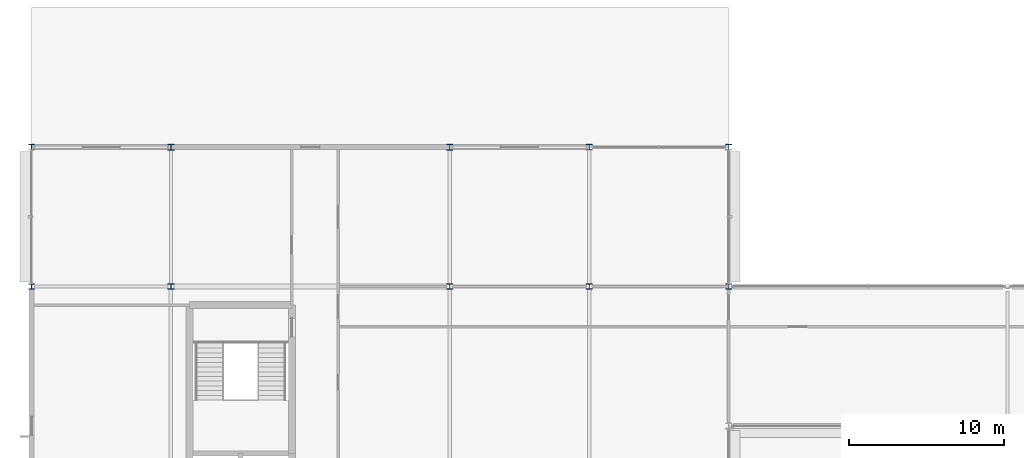
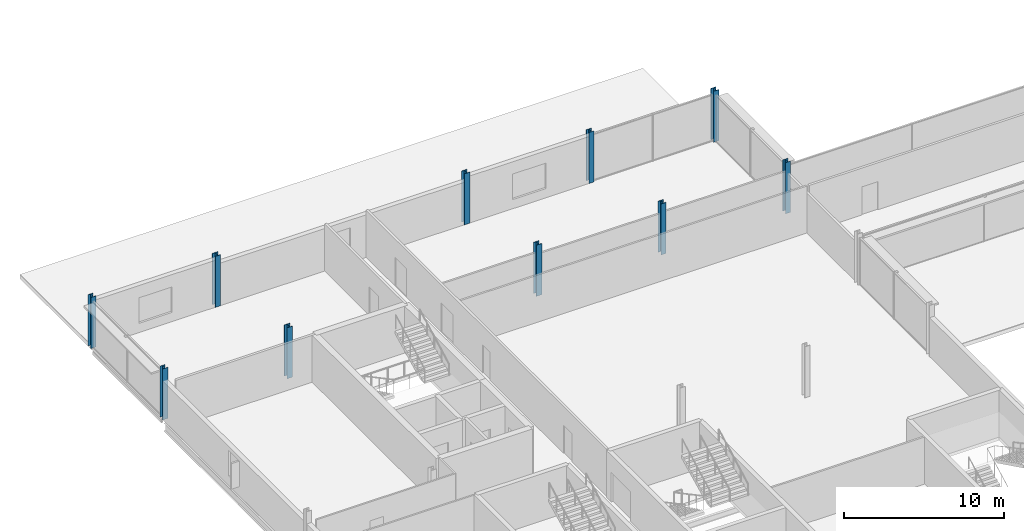
# One storey, part 7 of 105: 10 columns.
"""IFC4 building model written with IfcOpenShell, lengths in metres."""

from ifc_helpers import new_model, si_unit, direction, frame, origin, origin_2d, place, context, subcontext, project, spatial, i_section, extrude, material, material_profile, profile_set, type_object, element, save


model = new_model("IFC4")

# Units and contexts
model_context = context("Model", 3, precision=1e-05, world=origin(), true_north=direction((0.0, 1.0)))
body_context = subcontext(model_context, "Body", "Model", "MODEL_VIEW")
ifc_project = project(units=[si_unit("LENGTHUNIT", "METRE"), si_unit("AREAUNIT", "SQUARE_METRE"), si_unit("VOLUMEUNIT", "CUBIC_METRE"), si_unit("PLANEANGLEUNIT", "RADIAN"), si_unit("MASSUNIT", "GRAM", prefix="KILO")], contexts=[model_context])

# Site, building, storey
site_placement = place(None, origin())
site = spatial("IfcSite", under=ifc_project, at=site_placement, CompositionType="ELEMENT")
building_placement = place(site_placement, origin())
building = spatial("IfcBuilding", under=site, at=building_placement, Name="Kisiwana Market Hall", CompositionType="ELEMENT")
storey_placement = place(building_placement, frame((0.0, 0.0, 21.60009765625)))
storey = spatial("IfcBuildingStorey", under=building, at=storey_placement, Name="L04", CompositionType="ELEMENT", Elevation=21.60009765625)

# Columns
ifc_material_1 = material(Name="Steel S355", Category="steel")
ifc_material_profile_1 = material_profile(ifc_material_1, i_section(OverallWidth=0.37255859375, OverallDepth=0.3681640625, WebThickness=0.014404296875, FlangeThickness=0.023681640625, FilletRadius=0.01513671875, at=origin_2d()), Name="UC 356x368x177")
ifc_profile_set_1 = profile_set([ifc_material_profile_1], Name="Steel S355")
column_type_1 = type_object("IfcColumnType", Name="COL-STL-UC177", PredefinedType="COLUMN", material=ifc_profile_set_1)
for number, where, z_axis, x_axis, name in (
    (1, (0.0, 102.0, 0.0), (0.0, 0.0, 1.0), (1.0, 0.0, 0.0), "Column N/1 (L04) C-0793"),
    (2, (0.0, 111.0, 0.0), (0.0, 0.0, 1.0), (1.0, 0.0, 0.0), "Column P/1 (L04) C-0794"),
    (3, (36.0, 102.0, 0.0), (0.0, 0.0, 1.0), (1.0, 0.0, 0.0), "Column N/5 (L04) C-0812"),
    (4, (36.0, 111.0, 0.0), (0.0, 0.0, 1.0), (1.0, 0.0, 0.0), "Column P/5 (L04) C-0813"),
    (5, (45.0, 102.0, 0.0), (0.0, 0.0, 1.0), (1.0, 0.0, 0.0), "Column N/6 (L04) C-0821"),
    (6, (45.0, 111.0, 0.0), (0.0, 0.0, 1.0), (1.0, 0.0, 0.0), "Column P/6 (L04) C-0822"),
):
    element("IfcColumn", number, at=place(storey_placement, frame(where, z_axis=z_axis, x_axis=x_axis)), inside=storey, type_object=column_type_1, Name=name, PredefinedType="COLUMN", context=body_context, shape_type="SweptSolid", body=[
        extrude(i_section(OverallWidth=0.37255859375, OverallDepth=0.3681640625, WebThickness=0.014404296875, FlangeThickness=0.023681640625, FilletRadius=0.01513671875, at=origin_2d()), origin(), (0.0, 0.0, 1.0), 3.89990234375),
    ])
ifc_material_2 = material(Name="Steel S355", Category="steel")
ifc_material_profile_2 = material_profile(ifc_material_2, i_section(OverallWidth=0.394775390625, OverallDepth=0.381103515625, WebThickness=0.018310546875, FlangeThickness=0.0302734375, at=origin_2d()), Name="UC 356x406x235")
ifc_profile_set_2 = profile_set([ifc_material_profile_2], Name="Steel S355")
column_type_2 = type_object("IfcColumnType", Name="COL-STL-UC235", PredefinedType="COLUMN", material=ifc_profile_set_2)
for number, where, z_axis, x_axis, name in (
    (7, (9.0, 102.0, 0.0), (0.0, 0.0, 1.0), (1.0, 0.0, 0.0), "Column N/2 (L04) C-0799"),
    (8, (9.0, 111.0, 0.0), (0.0, 0.0, 1.0), (1.0, 0.0, 0.0), "Column P/2 (L04) C-0800"),
    (9, (27.0, 102.0, 0.0), (0.0, 0.0, 1.0), (1.0, 0.0, 0.0), "Column N/4 (L04) C-0806"),
    (10, (27.0, 111.0, 0.0), (0.0, 0.0, 1.0), (1.0, 0.0, 0.0), "Column P/4 (L04) C-0807"),
):
    element("IfcColumn", number, at=place(storey_placement, frame(where, z_axis=z_axis, x_axis=x_axis)), inside=storey, type_object=column_type_2, Name=name, PredefinedType="COLUMN", context=body_context, shape_type="SweptSolid", body=[
        extrude(i_section(OverallWidth=0.394775390625, OverallDepth=0.381103515625, WebThickness=0.018310546875, FlangeThickness=0.0302734375, at=origin_2d()), origin(), (0.0, 0.0, 1.0), 3.89990234375),
    ])

save(model, "model.ifc")
